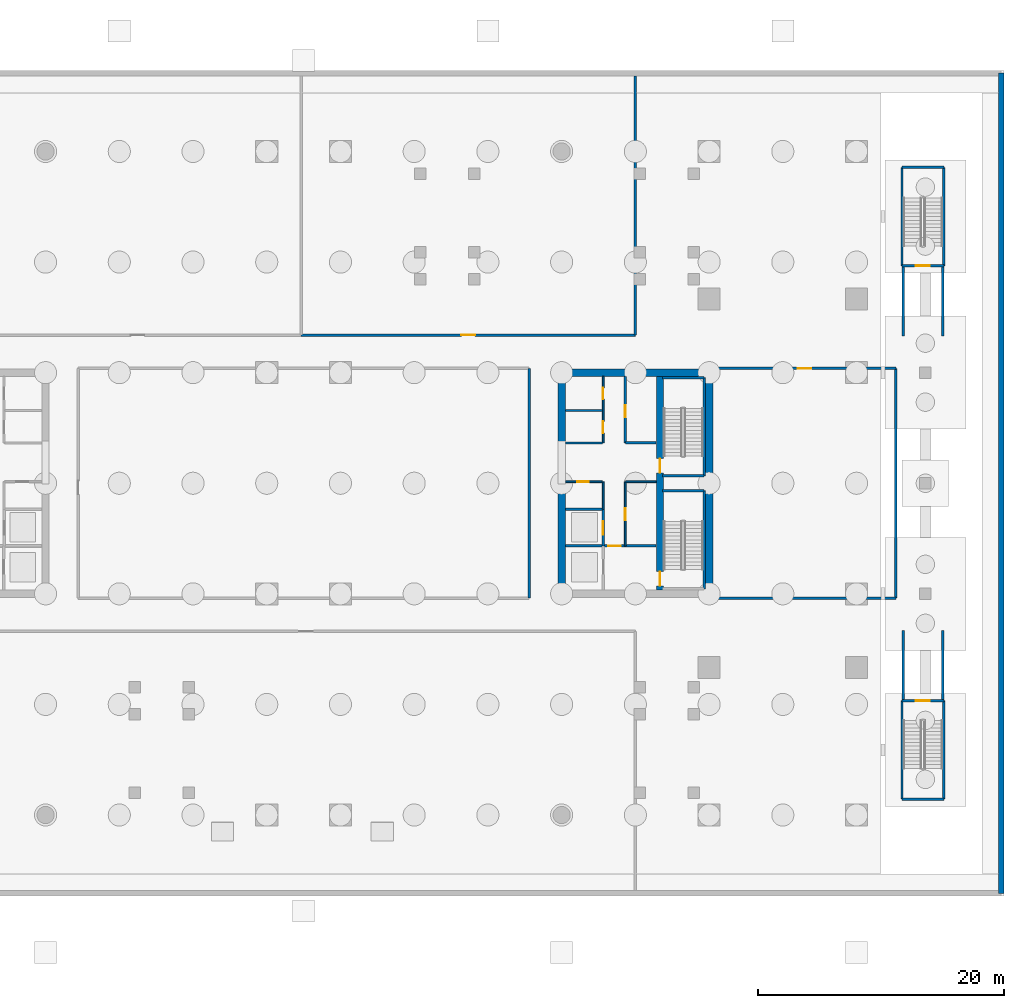
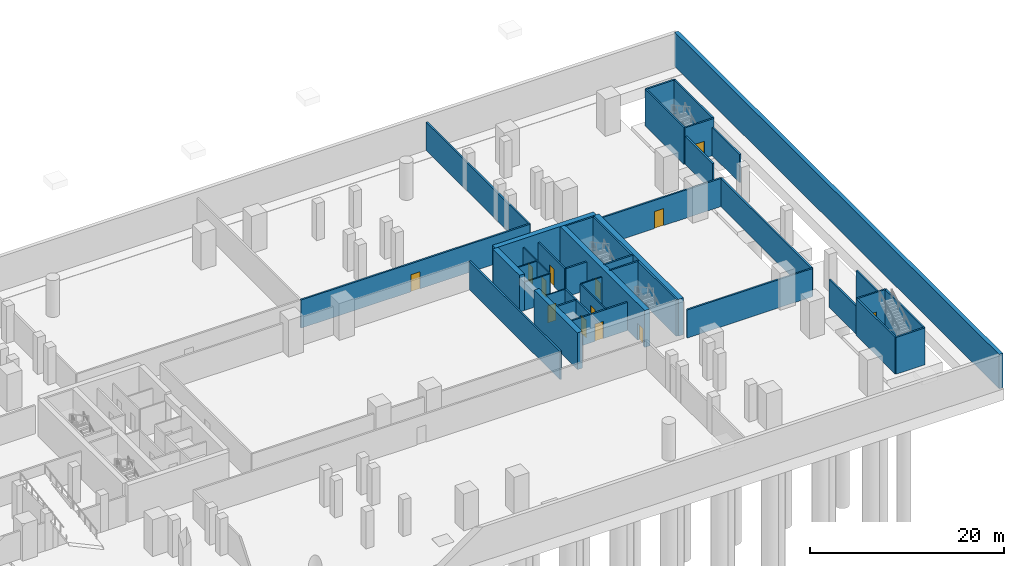
# One storey, part 8 of 14: 41 walls, 13 doors, 13 openings.
"""IFC4 building model written with IfcOpenShell, lengths in metres."""

from ifc_helpers import new_model, si_unit, direction, frame, frame_2d, origin, place, context, subcontext, project, spatial, rectangle, extrude, material, layer, layer_set, type_object, element, fill, save


model = new_model("IFC4")

# Units and contexts
model_context = context("Model", 3, precision=1e-05, world=origin(), true_north=direction((0.0, 1.0)))
body_context = subcontext(model_context, "Body", "Model", "MODEL_VIEW")
ifc_project = project(units=[si_unit("LENGTHUNIT", "METRE"), si_unit("AREAUNIT", "SQUARE_METRE"), si_unit("VOLUMEUNIT", "CUBIC_METRE"), si_unit("PLANEANGLEUNIT", "RADIAN"), si_unit("MASSUNIT", "GRAM", prefix="KILO")], contexts=[model_context])

# Site, building, storey
site_placement = place(None, origin())
site = spatial("IfcSite", under=ifc_project, at=site_placement, CompositionType="ELEMENT")
building_placement = place(site_placement, origin())
building = spatial("IfcBuilding", under=site, at=building_placement, Name="Tanjung Sevakor Pilgrim Tower", CompositionType="ELEMENT")
storey_placement = place(building_placement, frame((0.0, 0.0, -9.239990234375)))
storey = spatial("IfcBuildingStorey", under=building, at=storey_placement, Name="B02", CompositionType="ELEMENT", Elevation=-9.239990234375)

# Walls
ifc_material_1 = material(Name="Concrete C60/75", Category="concrete")
ifc_layer_1 = layer(ifc_material_1, 0.60009765625)
ifc_layer_set_1 = layer_set([ifc_layer_1], Name="WALL-CW-600B")
wall_type_1 = type_object("IfcWallType", Name="WALL-CW-600B", PredefinedType="SHEAR", material=ifc_layer_set_1)
wall_1_placement = place(storey_placement, frame((90.0, 42.60009765625, 0.0), z_axis=(0.0, 0.0, 1.0), x_axis=(-1.0, 0.0, 0.0)))
element("IfcWall", 1, at=wall_1_placement, inside=storey, type_object=wall_type_1, Name="B02 E Core North Shear Wall", PredefinedType="SHEAR", context=body_context, shape_type="SweptSolid", body=[
    extrude(rectangle(XDim=12.0, YDim=0.60009765625, at=frame_2d((6.0, 0.0))), origin(), (0.0, 0.0, 1.0), 4.619873046875),
])
wall_2_placement = place(storey_placement, frame((90.0, 24.89990234375, 0.0), z_axis=(0.0, 0.0, 1.0), x_axis=(0.0, 1.0, 0.0)))
element("IfcWall", 2, at=wall_2_placement, inside=storey, type_object=wall_type_1, Name="B02 E Core Outer Shear Wall", PredefinedType="SHEAR", context=body_context, shape_type="SweptSolid", body=[
    extrude(rectangle(XDim=17.400146484375, YDim=0.60009765625, at=frame_2d((8.7001953125, 0.0))), origin(), (0.0, 0.0, 1.0), 4.619873046875),
])
wall_3_placement = place(storey_placement, frame((78.0, 24.89990234375, 0.0), z_axis=(0.0, 0.0, 1.0), x_axis=(0.0, 1.0, 0.0)))
element("IfcWall", 3, at=wall_3_placement, inside=storey, type_object=wall_type_1, Name="B02 E Core Inner Shear Wall South", PredefinedType="SHEAR", context=body_context, shape_type="SweptSolid", body=[
    extrude(rectangle(XDim=8.900146484375, YDim=0.60009765625, at=frame_2d((4.4501953125, 0.0))), origin(), (0.0, 0.0, 1.0), 4.619873046875),
])
wall_4_placement = place(storey_placement, frame((78.0, 36.800048828125, 0.0), z_axis=(0.0, 0.0, 1.0), x_axis=(0.0, 1.0, 0.0)))
element("IfcWall", 4, at=wall_4_placement, inside=storey, type_object=wall_type_1, Name="B02 E Core Inner Shear Wall North", PredefinedType="SHEAR", context=body_context, shape_type="SweptSolid", body=[
    extrude(rectangle(XDim=5.5, YDim=0.60009765625, at=frame_2d((2.75, 0.0))), origin(), (0.0, 0.0, 1.0), 4.619873046875),
])

# Wall, openings, doors
wall_5_placement = place(storey_placement, frame((86.0, 24.89990234375, 0.0), z_axis=(0.0, 0.0, 1.0), x_axis=(0.0, 1.0, 0.0)))
wall_5 = element("IfcWall", 5, at=wall_5_placement, inside=storey, type_object=wall_type_1, Name="B02 E Core Stair Spine Wall", PredefinedType="SHEAR", context=body_context, shape_type="SweptSolid", body=[
    extrude(rectangle(XDim=17.400146484375, YDim=0.60009765625, at=frame_2d((8.7001953125, 0.0))), origin(), (0.0, 0.0, 1.0), 4.619873046875),
])
opening_1_placement = place(wall_5_placement, frame((0.35009765625, 0.0, 0.0)))
opening_1 = element("IfcOpeningElement", 6, at=opening_1_placement, cuts=wall_5, Name="Opening ID-ST1", PredefinedType="OPENING", context=body_context, shape_type="SweptSolid", body=[
    extrude(rectangle(XDim=1.14990234375, YDim=2.14990234375, at=frame_2d((0.574951171875, 1.074951171875))), frame((0.0, 0.31005859375, 0.0), z_axis=(0.0, -1.0, 0.0), x_axis=(1.0, 0.0, 0.0)), (0.0, 0.0, 1.0), 0.6201171875),
])
opening_2_placement = place(wall_5_placement, frame((9.550048828125, 0.0, 0.0)))
opening_2 = element("IfcOpeningElement", 7, at=opening_2_placement, cuts=wall_5, Name="Opening ID-ST1", PredefinedType="OPENING", context=body_context, shape_type="SweptSolid", body=[
    extrude(rectangle(XDim=1.14990234375, YDim=2.14990234375, at=frame_2d((0.574951171875, 1.074951171875))), frame((0.0, 0.31005859375, 0.0), z_axis=(0.0, -1.0, 0.0), x_axis=(1.0, 0.0, 0.0)), (0.0, 0.0, 1.0), 0.6201171875),
])
ifc_material_2 = material(Name="Fire-Rated Steel S355J2", Category="steel")
door_type_1 = type_object("IfcDoorType", Name="DT-FIRE-1150", OperationType="NOTDEFINED", PredefinedType="DOOR", material=ifc_material_2)
door_1_placement = place(opening_1_placement, origin())
door_1 = element("IfcDoor", 8, at=door_1_placement, inside=storey, type_object=door_type_1, Name="B02 TS-E1 Stair Fire Door", OperationType="SINGLE_SWING_LEFT", OverallHeight=2.14990234375, OverallWidth=1.14990234375, PredefinedType="DOOR", context=body_context, shape_type="SweptSolid", body=[
    extrude(rectangle(XDim=1.14990234375, YDim=2.14990234375, at=frame_2d((0.574951171875, 1.074951171875))), frame((0.0, 0.02490234375, 0.0), z_axis=(0.0, -1.0, 0.0), x_axis=(1.0, 0.0, 0.0)), (0.0, 0.0, 1.0), 0.050048828125),
])
fill(opening_1, door_1)
door_2_placement = place(opening_2_placement, origin())
door_2 = element("IfcDoor", 9, at=door_2_placement, inside=storey, type_object=door_type_1, Name="B02 TS-E2 Stair Fire Door", OperationType="SINGLE_SWING_RIGHT", OverallHeight=2.14990234375, OverallWidth=1.14990234375, PredefinedType="DOOR", context=body_context, shape_type="SweptSolid", body=[
    extrude(rectangle(XDim=1.14990234375, YDim=2.14990234375, at=frame_2d((0.574951171875, 1.074951171875))), frame((0.0, 0.02490234375, 0.0), z_axis=(0.0, -1.0, 0.0), x_axis=(1.0, 0.0, 0.0)), (0.0, 0.0, 1.0), 0.050048828125),
])
fill(opening_2, door_2)

# Wall
ifc_material_3 = material(Name="Concrete C40/50", Category="concrete")
ifc_layer_2 = layer(ifc_material_3, 0.14990234375)
ifc_layer_set_2 = layer_set([ifc_layer_2], Name="WT-COMP-150")
wall_type_2 = type_object("IfcWallType", Name="WT-COMP-150", PredefinedType="SOLIDWALL", material=ifc_layer_set_2)
wall_6_placement = place(storey_placement, frame((83.199951171875, 33.719970703125, 0.0), z_axis=(0.0, 0.0, 1.0), x_axis=(1.0, 0.0, 0.0)))
element("IfcWall", 10, at=wall_6_placement, inside=storey, type_object=wall_type_2, Name="B02 Partition IW-B02-016", PredefinedType="SOLIDWALL", context=body_context, shape_type="SweptSolid", body=[
    extrude(rectangle(XDim=2.47998046875, YDim=0.14990234375, at=frame_2d((1.239990234375, 0.0))), origin(), (0.0, 0.0, 1.0), 3.5400390625),
])

# Wall, opening, door
wall_7_placement = place(storey_placement, frame((83.179931640625, 28.5, 0.0), z_axis=(0.0, 0.0, 1.0), x_axis=(0.0, 1.0, 0.0)))
wall_7 = element("IfcWall", 11, at=wall_7_placement, inside=storey, type_object=wall_type_2, Name="B02 Partition IW-B02-017", PredefinedType="SOLIDWALL", context=body_context, shape_type="SweptSolid", body=[
    extrude(rectangle(XDim=5.219970703125, YDim=0.14990234375, at=frame_2d((2.60986328125, 0.0))), origin(), (0.0, 0.0, 1.0), 3.5400390625),
])
opening_3_placement = place(wall_7_placement, frame((2.10009765625, 0.0, 0.0)))
opening_3 = element("IfcOpeningElement", 12, at=opening_3_placement, cuts=wall_7, Name="Opening ID-FD2", PredefinedType="OPENING", context=body_context, shape_type="SweptSolid", body=[
    extrude(rectangle(XDim=0.949951171875, YDim=2.14990234375, at=frame_2d((0.47509765625, 1.074951171875))), frame((0.0, 0.0849609375, 0.0), z_axis=(0.0, -1.0, 0.0), x_axis=(1.0, 0.0, 0.0)), (0.0, 0.0, 1.0), 0.169921875),
])
ifc_material_4 = material(Name="Fire-Rated Timber", Category="wood")
door_type_2 = type_object("IfcDoorType", Name="DT-FIRE-950", OperationType="NOTDEFINED", PredefinedType="DOOR", material=ifc_material_4)
door_3_placement = place(opening_3_placement, origin())
door_3 = element("IfcDoor", 13, at=door_3_placement, inside=storey, type_object=door_type_2, Name="B02 Housekeeping Pantry Door", OperationType="SINGLE_SWING_RIGHT", OverallHeight=2.14990234375, OverallWidth=0.949951171875, PredefinedType="DOOR", context=body_context, shape_type="SweptSolid", body=[
    extrude(rectangle(XDim=0.949951171875, YDim=2.14990234375, at=frame_2d((0.47509765625, 1.074951171875))), frame((0.0, 0.02490234375, 0.0), z_axis=(0.0, -1.0, 0.0), x_axis=(1.0, 0.0, 0.0)), (0.0, 0.0, 1.0), 0.050048828125),
])
fill(opening_3, door_3)

# Wall
wall_8_placement = place(storey_placement, frame((81.3798828125, 31.47998046875, 0.0), z_axis=(0.0, 0.0, 1.0), x_axis=(0.0, 1.0, 0.0)))
element("IfcWall", 14, at=wall_8_placement, inside=storey, type_object=wall_type_2, Name="B02 Partition IW-B02-020", PredefinedType="SOLIDWALL", context=body_context, shape_type="SweptSolid", body=[
    extrude(rectangle(XDim=2.239990234375, YDim=0.14990234375, at=frame_2d((1.1201171875, 0.0))), origin(), (0.0, 0.0, 1.0), 3.5400390625),
])

# Wall, opening, door
wall_9_placement = place(storey_placement, frame((78.320068359375, 33.719970703125, 0.0), z_axis=(0.0, 0.0, 1.0), x_axis=(1.0, 0.0, 0.0)))
wall_9 = element("IfcWall", 15, at=wall_9_placement, inside=storey, type_object=wall_type_2, Name="B02 Partition IW-B02-021", PredefinedType="SOLIDWALL", context=body_context, shape_type="SweptSolid", body=[
    extrude(rectangle(XDim=3.0, YDim=0.14990234375, at=frame_2d((1.5, 0.0))), origin(), (0.0, 0.0, 1.0), 3.5400390625),
])
opening_4_placement = place(wall_9_placement, frame((0.949951171875, 0.0, 0.0)))
opening_4 = element("IfcOpeningElement", 16, at=opening_4_placement, cuts=wall_9, Name="Opening ID-FD2", PredefinedType="OPENING", context=body_context, shape_type="SweptSolid", body=[
    extrude(rectangle(XDim=0.949951171875, YDim=2.14990234375, at=frame_2d((0.47509765625, 1.074951171875))), frame((0.0, 0.0849609375, 0.0), z_axis=(0.0, -1.0, 0.0), x_axis=(1.0, 0.0, 0.0)), (0.0, 0.0, 1.0), 0.169921875),
])
door_4_placement = place(opening_4_placement, origin())
door_4 = element("IfcDoor", 17, at=door_4_placement, inside=storey, type_object=door_type_2, Name="B02 Accessible WC Door", OperationType="SINGLE_SWING_RIGHT", OverallHeight=2.14990234375, OverallWidth=0.949951171875, PredefinedType="DOOR", context=body_context, shape_type="SweptSolid", body=[
    extrude(rectangle(XDim=0.949951171875, YDim=2.14990234375, at=frame_2d((0.47509765625, 1.074951171875))), frame((0.0, 0.02490234375, 0.0), z_axis=(0.0, -1.0, 0.0), x_axis=(1.0, 0.0, 0.0)), (0.0, 0.0, 1.0), 0.050048828125),
])
fill(opening_4, door_4)

# Walls
for number, where, z_axis, x_axis, name in (
    (18, (78.320068359375, 36.8798828125, 0.0), (0.0, 0.0, 1.0), (1.0, 0.0, 0.0), "B02 Partition IW-B02-024"),
    (19, (78.320068359375, 39.52001953125, 0.0), (0.0, 0.0, 1.0), (1.0, 0.0, 0.0), "B02 Partition IW-B02-025"),
):
    element("IfcWall", number, at=place(storey_placement, frame(where, z_axis=z_axis, x_axis=x_axis)), inside=storey, type_object=wall_type_2, Name=name, PredefinedType="SOLIDWALL", context=body_context, shape_type="SweptSolid", body=[
        extrude(rectangle(XDim=3.0, YDim=0.14990234375, at=frame_2d((1.5, 0.0))), origin(), (0.0, 0.0, 1.0), 3.5400390625),
    ])

# Wall, openings, doors
wall_10_placement = place(storey_placement, frame((81.3798828125, 36.8798828125, 0.0), z_axis=(0.0, 0.0, 1.0), x_axis=(0.0, 1.0, 0.0)))
wall_10 = element("IfcWall", 20, at=wall_10_placement, inside=storey, type_object=wall_type_2, Name="B02 Partition IW-B02-026", PredefinedType="SOLIDWALL", context=body_context, shape_type="SweptSolid", body=[
    extrude(rectangle(XDim=5.420166015625, YDim=0.14990234375, at=frame_2d((2.7099609375, 0.0))), origin(), (0.0, 0.0, 1.0), 3.5400390625),
])
opening_5_placement = place(wall_10_placement, frame((0.800048828125, 0.0, 0.0)))
opening_5 = element("IfcOpeningElement", 21, at=opening_5_placement, cuts=wall_10, Name="Opening ID-FD2", PredefinedType="OPENING", context=body_context, shape_type="SweptSolid", body=[
    extrude(rectangle(XDim=0.949951171875, YDim=2.14990234375, at=frame_2d((0.47509765625, 1.074951171875))), frame((0.0, 0.0849609375, 0.0), z_axis=(0.0, -1.0, 0.0), x_axis=(1.0, 0.0, 0.0)), (0.0, 0.0, 1.0), 0.169921875),
])
opening_6_placement = place(wall_10_placement, frame((3.550048828125, 0.0, 0.0)))
opening_6 = element("IfcOpeningElement", 22, at=opening_6_placement, cuts=wall_10, Name="Opening ID-FD2", PredefinedType="OPENING", context=body_context, shape_type="SweptSolid", body=[
    extrude(rectangle(XDim=0.949951171875, YDim=2.14990234375, at=frame_2d((0.47509765625, 1.074951171875))), frame((0.0, 0.0849609375, 0.0), z_axis=(0.0, -1.0, 0.0), x_axis=(1.0, 0.0, 0.0)), (0.0, 0.0, 1.0), 0.169921875),
])
door_5_placement = place(opening_5_placement, origin())
door_5 = element("IfcDoor", 23, at=door_5_placement, inside=storey, type_object=door_type_2, Name="B02 Public Male WC Door", OperationType="SINGLE_SWING_RIGHT", OverallHeight=2.14990234375, OverallWidth=0.949951171875, PredefinedType="DOOR", context=body_context, shape_type="SweptSolid", body=[
    extrude(rectangle(XDim=0.949951171875, YDim=2.14990234375, at=frame_2d((0.47509765625, 1.074951171875))), frame((0.0, 0.02490234375, 0.0), z_axis=(0.0, -1.0, 0.0), x_axis=(1.0, 0.0, 0.0)), (0.0, 0.0, 1.0), 0.050048828125),
])
fill(opening_5, door_5)
door_6_placement = place(opening_6_placement, origin())
door_6 = element("IfcDoor", 24, at=door_6_placement, inside=storey, type_object=door_type_2, Name="B02 Public Female WC Door", OperationType="SINGLE_SWING_LEFT", OverallHeight=2.14990234375, OverallWidth=0.949951171875, PredefinedType="DOOR", context=body_context, shape_type="SweptSolid", body=[
    extrude(rectangle(XDim=0.949951171875, YDim=2.14990234375, at=frame_2d((0.47509765625, 1.074951171875))), frame((0.0, 0.02490234375, 0.0), z_axis=(0.0, -1.0, 0.0), x_axis=(1.0, 0.0, 0.0)), (0.0, 0.0, 1.0), 0.050048828125),
])
fill(opening_6, door_6)

# Walls
ifc_material_5 = material(Name="Concrete C40/50", Category="concrete")
ifc_layer_3 = layer(ifc_material_5, 0.199951171875)
ifc_layer_set_3 = layer_set([ifc_layer_3], Name="WT-FIRE-200")
wall_type_3 = type_object("IfcWallType", Name="WT-FIRE-200", PredefinedType="SOLIDWALL", material=ifc_layer_set_3)
wall_11_placement = place(storey_placement, frame((89.60009765625, 25.0, 0.0), z_axis=(0.0, 0.0, 1.0), x_axis=(0.0, 1.0, 0.0)))
element("IfcWall", 25, at=wall_11_placement, inside=storey, type_object=wall_type_3, Name="B02 TS-E1 Shaft Wall 2", PredefinedType="SOLIDWALL", context=body_context, shape_type="SweptSolid", body=[
    extrude(rectangle(XDim=8.0, YDim=0.199951171875, at=frame_2d((4.0, 0.0))), origin(), (0.0, 0.0, 1.0), 4.619873046875),
])
for number, where, z_axis, x_axis, name in (
    (26, (89.60009765625, 33.0, 0.0), (0.0, 0.0, 1.0), (-1.0, 0.0, 0.0), "B02 TS-E1 Shaft Wall 3"),
    (27, (86.199951171875, 34.199951171875, 0.0), (0.0, 0.0, 1.0), (1.0, 0.0, 0.0), "B02 TS-E2 Shaft Wall 1"),
):
    element("IfcWall", number, at=place(storey_placement, frame(where, z_axis=z_axis, x_axis=x_axis)), inside=storey, type_object=wall_type_3, Name=name, PredefinedType="SOLIDWALL", context=body_context, shape_type="SweptSolid", body=[
        extrude(rectangle(XDim=3.400146484375, YDim=0.199951171875, at=frame_2d((1.7001953125, 0.0))), origin(), (0.0, 0.0, 1.0), 4.619873046875),
    ])
wall_12_placement = place(storey_placement, frame((89.60009765625, 34.199951171875, 0.0), z_axis=(0.0, 0.0, 1.0), x_axis=(0.0, 1.0, 0.0)))
element("IfcWall", 28, at=wall_12_placement, inside=storey, type_object=wall_type_3, Name="B02 TS-E2 Shaft Wall 2", PredefinedType="SOLIDWALL", context=body_context, shape_type="SweptSolid", body=[
    extrude(rectangle(XDim=8.0, YDim=0.199951171875, at=frame_2d((4.0, 0.0))), origin(), (0.0, 0.0, 1.0), 4.619873046875),
])
for number, where, z_axis, x_axis, name in (
    (29, (89.60009765625, 42.199951171875, 0.0), (0.0, 0.0, 1.0), (-1.0, 0.0, 0.0), "B02 TS-E2 Shaft Wall 3"),
    (30, (105.699951171875, 7.89990234375, 0.0), (0.0, 0.0, 1.0), (1.0, 0.0, 0.0), "B02 BS-3 Shaft Wall 1"),
):
    element("IfcWall", number, at=place(storey_placement, frame(where, z_axis=z_axis, x_axis=x_axis)), inside=storey, type_object=wall_type_3, Name=name, PredefinedType="SOLIDWALL", context=body_context, shape_type="SweptSolid", body=[
        extrude(rectangle(XDim=3.400146484375, YDim=0.199951171875, at=frame_2d((1.7001953125, 0.0))), origin(), (0.0, 0.0, 1.0), 4.619873046875),
    ])
wall_13_placement = place(storey_placement, frame((109.10009765625, 7.89990234375, 0.0), z_axis=(0.0, 0.0, 1.0), x_axis=(0.0, 1.0, 0.0)))
element("IfcWall", 31, at=wall_13_placement, inside=storey, type_object=wall_type_3, Name="B02 BS-3 Shaft Wall 2", PredefinedType="SOLIDWALL", context=body_context, shape_type="SweptSolid", body=[
    extrude(rectangle(XDim=8.0, YDim=0.199951171875, at=frame_2d((4.0, 0.0))), origin(), (0.0, 0.0, 1.0), 4.619873046875),
])

# Wall, opening, door
wall_14_placement = place(storey_placement, frame((109.10009765625, 15.89990234375, 0.0), z_axis=(0.0, 0.0, 1.0), x_axis=(-1.0, 0.0, 0.0)))
wall_14 = element("IfcWall", 32, at=wall_14_placement, inside=storey, type_object=wall_type_3, Name="B02 BS-3 Shaft Wall 3", PredefinedType="SOLIDWALL", context=body_context, shape_type="SweptSolid", body=[
    extrude(rectangle(XDim=3.400146484375, YDim=0.199951171875, at=frame_2d((1.7001953125, 0.0))), origin(), (0.0, 0.0, 1.0), 4.619873046875),
])
opening_7_placement = place(wall_14_placement, frame((1.125, 0.0, 0.0)))
opening_7 = element("IfcOpeningElement", 33, at=opening_7_placement, cuts=wall_14, Name="Opening ID-ST1", PredefinedType="OPENING", context=body_context, shape_type="SweptSolid", body=[
    extrude(rectangle(XDim=1.14990234375, YDim=2.14990234375, at=frame_2d((0.574951171875, 1.074951171875))), frame((0.0, 0.10986328125, 0.0), z_axis=(0.0, -1.0, 0.0), x_axis=(1.0, 0.0, 0.0)), (0.0, 0.0, 1.0), 0.219970703125),
])
door_7_placement = place(opening_7_placement, origin())
door_7 = element("IfcDoor", 34, at=door_7_placement, inside=storey, type_object=door_type_1, Name="B02 BS-3 Stair Entry Fire Door", OperationType="SINGLE_SWING_LEFT", OverallHeight=2.14990234375, OverallWidth=1.14990234375, PredefinedType="DOOR", context=body_context, shape_type="SweptSolid", body=[
    extrude(rectangle(XDim=1.14990234375, YDim=2.14990234375, at=frame_2d((0.574951171875, 1.074951171875))), frame((0.0, 0.02490234375, 0.0), z_axis=(0.0, -1.0, 0.0), x_axis=(1.0, 0.0, 0.0)), (0.0, 0.0, 1.0), 0.050048828125),
])
fill(opening_7, door_7)

# Wall
wall_15_placement = place(storey_placement, frame((105.699951171875, 15.89990234375, 0.0), z_axis=(0.0, 0.0, 1.0), x_axis=(0.0, -1.0, 0.0)))
element("IfcWall", 35, at=wall_15_placement, inside=storey, type_object=wall_type_3, Name="B02 BS-3 Shaft Wall 4", PredefinedType="SOLIDWALL", context=body_context, shape_type="SweptSolid", body=[
    extrude(rectangle(XDim=8.0, YDim=0.199951171875, at=frame_2d((4.0, 0.0))), origin(), (0.0, 0.0, 1.0), 4.619873046875),
])

# Wall, opening, door
wall_16_placement = place(storey_placement, frame((105.699951171875, 51.300048828125, 0.0), z_axis=(0.0, 0.0, 1.0), x_axis=(1.0, 0.0, 0.0)))
wall_16 = element("IfcWall", 36, at=wall_16_placement, inside=storey, type_object=wall_type_3, Name="B02 BS-4 Shaft Wall 1", PredefinedType="SOLIDWALL", context=body_context, shape_type="SweptSolid", body=[
    extrude(rectangle(XDim=3.400146484375, YDim=0.199951171875, at=frame_2d((1.7001953125, 0.0))), origin(), (0.0, 0.0, 1.0), 4.619873046875),
])
opening_8_placement = place(wall_16_placement, frame((1.125, 0.0, 0.0)))
opening_8 = element("IfcOpeningElement", 37, at=opening_8_placement, cuts=wall_16, Name="Opening ID-ST1", PredefinedType="OPENING", context=body_context, shape_type="SweptSolid", body=[
    extrude(rectangle(XDim=1.14990234375, YDim=2.14990234375, at=frame_2d((0.574951171875, 1.074951171875))), frame((0.0, 0.10986328125, 0.0), z_axis=(0.0, -1.0, 0.0), x_axis=(1.0, 0.0, 0.0)), (0.0, 0.0, 1.0), 0.219970703125),
])
door_8_placement = place(opening_8_placement, origin())
door_8 = element("IfcDoor", 38, at=door_8_placement, inside=storey, type_object=door_type_1, Name="B02 BS-4 Stair Entry Fire Door", OperationType="SINGLE_SWING_RIGHT", OverallHeight=2.14990234375, OverallWidth=1.14990234375, PredefinedType="DOOR", context=body_context, shape_type="SweptSolid", body=[
    extrude(rectangle(XDim=1.14990234375, YDim=2.14990234375, at=frame_2d((0.574951171875, 1.074951171875))), frame((0.0, 0.02490234375, 0.0), z_axis=(0.0, -1.0, 0.0), x_axis=(1.0, 0.0, 0.0)), (0.0, 0.0, 1.0), 0.050048828125),
])
fill(opening_8, door_8)

# Walls
wall_17_placement = place(storey_placement, frame((109.10009765625, 51.300048828125, 0.0), z_axis=(0.0, 0.0, 1.0), x_axis=(0.0, 1.0, 0.0)))
element("IfcWall", 39, at=wall_17_placement, inside=storey, type_object=wall_type_3, Name="B02 BS-4 Shaft Wall 2", PredefinedType="SOLIDWALL", context=body_context, shape_type="SweptSolid", body=[
    extrude(rectangle(XDim=8.0, YDim=0.199951171875, at=frame_2d((4.0, 0.0))), origin(), (0.0, 0.0, 1.0), 4.619873046875),
])
wall_18_placement = place(storey_placement, frame((109.10009765625, 59.300048828125, 0.0), z_axis=(0.0, 0.0, 1.0), x_axis=(-1.0, 0.0, 0.0)))
element("IfcWall", 40, at=wall_18_placement, inside=storey, type_object=wall_type_3, Name="B02 BS-4 Shaft Wall 3", PredefinedType="SOLIDWALL", context=body_context, shape_type="SweptSolid", body=[
    extrude(rectangle(XDim=3.400146484375, YDim=0.199951171875, at=frame_2d((1.7001953125, 0.0))), origin(), (0.0, 0.0, 1.0), 4.619873046875),
])
wall_19_placement = place(storey_placement, frame((105.699951171875, 59.300048828125, 0.0), z_axis=(0.0, 0.0, 1.0), x_axis=(0.0, -1.0, 0.0)))
element("IfcWall", 41, at=wall_19_placement, inside=storey, type_object=wall_type_3, Name="B02 BS-4 Shaft Wall 4", PredefinedType="SOLIDWALL", context=body_context, shape_type="SweptSolid", body=[
    extrude(rectangle(XDim=8.0, YDim=0.199951171875, at=frame_2d((4.0, 0.0))), origin(), (0.0, 0.0, 1.0), 4.619873046875),
])

# Wall, opening, door
ifc_material_6 = material(Name="Concrete C40/50", Category="concrete")
ifc_layer_4 = layer(ifc_material_6, 0.199951171875)
ifc_layer_set_4 = layer_set([ifc_layer_4], Name="WT-FPRT-200")
wall_type_4 = type_object("IfcWallType", Name="WT-FPRT-200", PredefinedType="SOLIDWALL", material=ifc_layer_set_4)
wall_20_placement = place(storey_placement, frame((78.320068359375, 28.5, 0.0), z_axis=(0.0, 0.0, 1.0), x_axis=(1.0, 0.0, 0.0)))
wall_20 = element("IfcWall", 42, at=wall_20_placement, inside=storey, type_object=wall_type_4, Name="B02 Partition IW-B02-015", PredefinedType="SOLIDWALL", context=body_context, shape_type="SweptSolid", body=[
    extrude(rectangle(XDim=7.35986328125, YDim=0.199951171875, at=frame_2d((3.679931640625, 0.0))), origin(), (0.0, 0.0, 1.0), 3.5400390625),
])
opening_9_placement = place(wall_20_placement, frame((3.47998046875, 0.0, 0.0)))
opening_9 = element("IfcOpeningElement", 43, at=opening_9_placement, cuts=wall_20, Name="Opening ID-FD1", PredefinedType="OPENING", context=body_context, shape_type="SweptSolid", body=[
    extrude(rectangle(XDim=1.0, YDim=2.14990234375, at=frame_2d((0.5, 1.074951171875))), frame((0.0, 0.10986328125, 0.0), z_axis=(0.0, -1.0, 0.0), x_axis=(1.0, 0.0, 0.0)), (0.0, 0.0, 1.0), 0.219970703125),
])
ifc_material_7 = material(Name="Fire-Rated Steel S355J2", Category="steel")
door_type_3 = type_object("IfcDoorType", Name="DT-FIRE-1000", OperationType="NOTDEFINED", PredefinedType="DOOR", material=ifc_material_7)
door_9_placement = place(opening_9_placement, origin())
door_9 = element("IfcDoor", 44, at=door_9_placement, inside=storey, type_object=door_type_3, Name="Fire Lobby Door E", OperationType="SINGLE_SWING_LEFT", OverallHeight=2.14990234375, OverallWidth=1.0, PredefinedType="DOOR", context=body_context, shape_type="SweptSolid", body=[
    extrude(rectangle(XDim=1.0, YDim=2.14990234375, at=frame_2d((0.5, 1.074951171875))), frame((0.0, 0.02490234375, 0.0), z_axis=(0.0, -1.0, 0.0), x_axis=(1.0, 0.0, 0.0)), (0.0, 0.0, 1.0), 0.050048828125),
])
fill(opening_9, door_9)

# Wall
wall_21_placement = place(storey_placement, frame((78.320068359375, 31.47998046875, 0.0), z_axis=(0.0, 0.0, 1.0), x_axis=(1.0, 0.0, 0.0)))
element("IfcWall", 45, at=wall_21_placement, inside=storey, type_object=wall_type_4, Name="B02 Partition IW-B02-018", PredefinedType="SOLIDWALL", context=body_context, shape_type="SweptSolid", body=[
    extrude(rectangle(XDim=3.0, YDim=0.199951171875, at=frame_2d((1.5, 0.0))), origin(), (0.0, 0.0, 1.0), 3.5400390625),
])

# Wall, opening, door
wall_22_placement = place(storey_placement, frame((81.3798828125, 28.5, 0.0), z_axis=(0.0, 0.0, 1.0), x_axis=(0.0, 1.0, 0.0)))
wall_22 = element("IfcWall", 46, at=wall_22_placement, inside=storey, type_object=wall_type_4, Name="B02 Partition IW-B02-019", PredefinedType="SOLIDWALL", context=body_context, shape_type="SweptSolid", body=[
    extrude(rectangle(XDim=2.97998046875, YDim=0.199951171875, at=frame_2d((1.489990234375, 0.0))), origin(), (0.0, 0.0, 1.0), 3.5400390625),
])
opening_10_placement = place(wall_22_placement, frame((0.89990234375, 0.0, 0.0)))
opening_10 = element("IfcOpeningElement", 47, at=opening_10_placement, cuts=wall_22, Name="Opening LD-1100", PredefinedType="OPENING", context=body_context, shape_type="SweptSolid", body=[
    extrude(rectangle(XDim=1.10009765625, YDim=2.199951171875, at=frame_2d((0.550048828125, 1.10009765625))), frame((0.0, 0.10986328125, 0.0), z_axis=(0.0, -1.0, 0.0), x_axis=(1.0, 0.0, 0.0)), (0.0, 0.0, 1.0), 0.219970703125),
])
ifc_material_8 = material(Name="Brushed Stainless Steel S355J2", Category="steel")
door_type_4 = type_object("IfcDoorType", Name="DT-LIFT-1100", OperationType="SLIDING_TO_LEFT", PredefinedType="DOOR", material=ifc_material_8)
door_10_placement = place(opening_10_placement, origin())
door_10 = element("IfcDoor", 48, at=door_10_placement, inside=storey, type_object=door_type_4, Name="LD-SLP-E", OperationType="SLIDING_TO_LEFT", OverallHeight=2.199951171875, OverallWidth=1.10009765625, PredefinedType="DOOR", context=body_context, shape_type="SweptSolid", body=[
    extrude(rectangle(XDim=1.10009765625, YDim=2.199951171875, at=frame_2d((0.550048828125, 1.10009765625))), frame((0.0, 0.02490234375, 0.0), z_axis=(0.0, -1.0, 0.0), x_axis=(1.0, 0.0, 0.0)), (0.0, 0.0, 1.0), 0.050048828125),
])
fill(opening_10, door_10)

# Wall
wall_23_placement = place(storey_placement, frame((83.199951171875, 36.8798828125, 0.0), z_axis=(0.0, 0.0, 1.0), x_axis=(1.0, 0.0, 0.0)))
element("IfcWall", 49, at=wall_23_placement, inside=storey, type_object=wall_type_4, Name="B02 Partition IW-B02-022", PredefinedType="SOLIDWALL", context=body_context, shape_type="SweptSolid", body=[
    extrude(rectangle(XDim=2.47998046875, YDim=0.199951171875, at=frame_2d((1.239990234375, 0.0))), origin(), (0.0, 0.0, 1.0), 3.5400390625),
])

# Wall, opening, door
wall_24_placement = place(storey_placement, frame((83.179931640625, 36.8798828125, 0.0), z_axis=(0.0, 0.0, 1.0), x_axis=(0.0, 1.0, 0.0)))
wall_24 = element("IfcWall", 50, at=wall_24_placement, inside=storey, type_object=wall_type_4, Name="B02 Partition IW-B02-023", PredefinedType="SOLIDWALL", context=body_context, shape_type="SweptSolid", body=[
    extrude(rectangle(XDim=5.420166015625, YDim=0.199951171875, at=frame_2d((2.7099609375, 0.0))), origin(), (0.0, 0.0, 1.0), 3.5400390625),
])
opening_11_placement = place(wall_24_placement, frame((2.10009765625, 0.0, 0.0)))
opening_11 = element("IfcOpeningElement", 51, at=opening_11_placement, cuts=wall_24, Name="Opening ID-FD2", PredefinedType="OPENING", context=body_context, shape_type="SweptSolid", body=[
    extrude(rectangle(XDim=0.949951171875, YDim=2.14990234375, at=frame_2d((0.47509765625, 1.074951171875))), frame((0.0, 0.10986328125, 0.0), z_axis=(0.0, -1.0, 0.0), x_axis=(1.0, 0.0, 0.0)), (0.0, 0.0, 1.0), 0.219970703125),
])
door_11_placement = place(opening_11_placement, origin())
door_11 = element("IfcDoor", 52, at=door_11_placement, inside=storey, type_object=door_type_2, Name="B02 Electrical Riser Door", OperationType="SINGLE_SWING_LEFT", OverallHeight=2.14990234375, OverallWidth=0.949951171875, PredefinedType="DOOR", context=body_context, shape_type="SweptSolid", body=[
    extrude(rectangle(XDim=0.949951171875, YDim=2.14990234375, at=frame_2d((0.47509765625, 1.074951171875))), frame((0.0, 0.02490234375, 0.0), z_axis=(0.0, -1.0, 0.0), x_axis=(1.0, 0.0, 0.0)), (0.0, 0.0, 1.0), 0.050048828125),
])
fill(opening_11, door_11)

# Walls
for number, where, z_axis, x_axis, name in (
    (53, (105.800048828125, 15.89990234375, 0.0), (0.0, 0.0, 1.0), (0.0, 1.0, 0.0), "B02 Partition IW-B02-029"),
    (54, (109.0, 15.89990234375, 0.0), (0.0, 0.0, 1.0), (0.0, 1.0, 0.0), "B02 Partition IW-B02-030"),
):
    element("IfcWall", number, at=place(storey_placement, frame(where, z_axis=z_axis, x_axis=x_axis)), inside=storey, type_object=wall_type_4, Name=name, PredefinedType="SOLIDWALL", context=body_context, shape_type="SweptSolid", body=[
        extrude(rectangle(XDim=5.7001953125, YDim=0.199951171875, at=frame_2d((2.85009765625, 0.0))), origin(), (0.0, 0.0, 1.0), 3.5400390625),
    ])
for number, where, z_axis, x_axis, name in (
    (55, (105.800048828125, 45.60009765625, 0.0), (0.0, 0.0, 1.0), (0.0, 1.0, 0.0), "B02 Partition IW-B02-031"),
    (56, (109.0, 45.60009765625, 0.0), (0.0, 0.0, 1.0), (0.0, 1.0, 0.0), "B02 Partition IW-B02-032"),
):
    element("IfcWall", number, at=place(storey_placement, frame(where, z_axis=z_axis, x_axis=x_axis)), inside=storey, type_object=wall_type_4, Name=name, PredefinedType="SOLIDWALL", context=body_context, shape_type="SweptSolid", body=[
        extrude(rectangle(XDim=5.699951171875, YDim=0.199951171875, at=frame_2d((2.85009765625, 0.0))), origin(), (0.0, 0.0, 1.0), 3.5400390625),
    ])
wall_25_placement = place(storey_placement, frame((75.35009765625, 24.25, 0.0), z_axis=(0.0, 0.0, 1.0), x_axis=(0.0, 1.0, 0.0)))
element("IfcWall", 57, at=wall_25_placement, inside=storey, type_object=wall_type_4, Name="B02 Partition IW-B02-041", PredefinedType="SOLIDWALL", context=body_context, shape_type="SweptSolid", body=[
    extrude(rectangle(XDim=18.699951171875, YDim=0.199951171875, at=frame_2d((9.35009765625, 0.0))), origin(), (0.0, 0.0, 1.0), 3.5400390625),
])
wall_26_placement = place(storey_placement, frame((90.320068359375, 24.25, 0.0), z_axis=(0.0, 0.0, 1.0), x_axis=(1.0, 0.0, 0.0)))
element("IfcWall", 58, at=wall_26_placement, inside=storey, type_object=wall_type_4, Name="B02 Partition IW-B02-047", PredefinedType="SOLIDWALL", context=body_context, shape_type="SweptSolid", body=[
    extrude(rectangle(XDim=14.8798828125, YDim=0.199951171875, at=frame_2d((7.43994140625, 0.0))), origin(), (0.0, 0.0, 1.0), 3.5400390625),
])

# Wall, opening, door
wall_27_placement = place(storey_placement, frame((90.320068359375, 42.949951171875, 0.0), z_axis=(0.0, 0.0, 1.0), x_axis=(1.0, 0.0, 0.0)))
wall_27 = element("IfcWall", 59, at=wall_27_placement, inside=storey, type_object=wall_type_4, Name="B02 Partition IW-B02-048", PredefinedType="SOLIDWALL", context=body_context, shape_type="SweptSolid", body=[
    extrude(rectangle(XDim=14.8798828125, YDim=0.199951171875, at=frame_2d((7.43994140625, 0.0))), origin(), (0.0, 0.0, 1.0), 3.5400390625),
])
opening_12_placement = place(wall_27_placement, frame((6.889892578125, 0.0, 0.0)))
opening_12 = element("IfcOpeningElement", 60, at=opening_12_placement, cuts=wall_27, Name="Opening ID-FD0", PredefinedType="OPENING", context=body_context, shape_type="SweptSolid", body=[
    extrude(rectangle(XDim=1.10009765625, YDim=2.14990234375, at=frame_2d((0.550048828125, 1.074951171875))), frame((0.0, 0.10986328125, 0.0), z_axis=(0.0, -1.0, 0.0), x_axis=(1.0, 0.0, 0.0)), (0.0, 0.0, 1.0), 0.219970703125),
])
ifc_material_9 = material(Name="Fire-Rated Steel S355J2", Category="steel")
door_type_5 = type_object("IfcDoorType", Name="DT-FIRE-1100", OperationType="NOTDEFINED", PredefinedType="DOOR", material=ifc_material_9)
door_12_placement = place(opening_12_placement, origin())
door_12 = element("IfcDoor", 61, at=door_12_placement, inside=storey, type_object=door_type_5, Name="B02 Pump Room Door", OperationType="SINGLE_SWING_RIGHT", OverallHeight=2.14990234375, OverallWidth=1.10009765625, PredefinedType="DOOR", context=body_context, shape_type="SweptSolid", body=[
    extrude(rectangle(XDim=1.10009765625, YDim=2.14990234375, at=frame_2d((0.550048828125, 1.074951171875))), frame((0.0, 0.02490234375, 0.0), z_axis=(0.0, -1.0, 0.0), x_axis=(1.0, 0.0, 0.0)), (0.0, 0.0, 1.0), 0.050048828125),
])
fill(opening_12, door_12)

# Wall
wall_28_placement = place(storey_placement, frame((105.199951171875, 24.25, 0.0), z_axis=(0.0, 0.0, 1.0), x_axis=(0.0, 1.0, 0.0)))
element("IfcWall", 62, at=wall_28_placement, inside=storey, type_object=wall_type_4, Name="B02 Partition IW-B02-049", PredefinedType="SOLIDWALL", context=body_context, shape_type="SweptSolid", body=[
    extrude(rectangle(XDim=18.699951171875, YDim=0.199951171875, at=frame_2d((9.35009765625, 0.0))), origin(), (0.0, 0.0, 1.0), 3.5400390625),
])

# Wall, opening, door
wall_29_placement = place(storey_placement, frame((56.800048828125, 45.64990234375, 0.0), z_axis=(0.0, 0.0, 1.0), x_axis=(1.0, 0.0, 0.0)))
wall_29 = element("IfcWall", 63, at=wall_29_placement, inside=storey, type_object=wall_type_4, Name="B02 Partition IW-B02-053", PredefinedType="SOLIDWALL", context=body_context, shape_type="SweptSolid", body=[
    extrude(rectangle(XDim=27.199951171875, YDim=0.199951171875, at=frame_2d((13.60009765625, 0.0))), origin(), (0.0, 0.0, 1.0), 3.5400390625),
])
opening_13_placement = place(wall_29_placement, frame((13.050048828125, 0.0, 0.0)))
opening_13 = element("IfcOpeningElement", 64, at=opening_13_placement, cuts=wall_29, Name="Opening ID-FD0", PredefinedType="OPENING", context=body_context, shape_type="SweptSolid", body=[
    extrude(rectangle(XDim=1.10009765625, YDim=2.14990234375, at=frame_2d((0.550048828125, 1.074951171875))), frame((0.0, 0.10986328125, 0.0), z_axis=(0.0, -1.0, 0.0), x_axis=(1.0, 0.0, 0.0)), (0.0, 0.0, 1.0), 0.219970703125),
])
door_13_placement = place(opening_13_placement, origin())
door_13 = element("IfcDoor", 65, at=door_13_placement, inside=storey, type_object=door_type_5, Name="B02 Luggage Store Door", OperationType="SINGLE_SWING_RIGHT", OverallHeight=2.14990234375, OverallWidth=1.10009765625, PredefinedType="DOOR", context=body_context, shape_type="SweptSolid", body=[
    extrude(rectangle(XDim=1.10009765625, YDim=2.14990234375, at=frame_2d((0.550048828125, 1.074951171875))), frame((0.0, 0.02490234375, 0.0), z_axis=(0.0, -1.0, 0.0), x_axis=(1.0, 0.0, 0.0)), (0.0, 0.0, 1.0), 0.050048828125),
])
fill(opening_13, door_13)

# Walls
wall_30_placement = place(storey_placement, frame((84.0, 45.64990234375, 0.0), z_axis=(0.0, 0.0, 1.0), x_axis=(0.0, 1.0, 0.0)))
element("IfcWall", 66, at=wall_30_placement, inside=storey, type_object=wall_type_4, Name="B02 Partition IW-B02-054", PredefinedType="SOLIDWALL", context=body_context, shape_type="SweptSolid", body=[
    extrude(rectangle(XDim=21.10009765625, YDim=0.199951171875, at=frame_2d((10.550048828125, 0.0))), origin(), (0.0, 0.0, 1.0), 3.5400390625),
])
ifc_material_10 = material(Name="Concrete C50/60", Category="concrete")
ifc_layer_5 = layer(ifc_material_10, 0.449951171875)
ifc_layer_set_5 = layer_set([ifc_layer_5], Name="WT-RET-450")
wall_type_5 = type_object("IfcWallType", Name="WT-RET-450", PredefinedType="USERDEFINED", material=ifc_layer_set_5)
wall_31_placement = place(storey_placement, frame((113.77490234375, 0.22509765625, 0.0), z_axis=(0.0, 0.0, 1.0), x_axis=(0.0, 1.0, 0.0)))
element("IfcWall", 67, at=wall_31_placement, inside=storey, type_object=wall_type_5, Name="B02 Perimeter Retaining Wall 2", ObjectType="RETAININGWALL", PredefinedType="USERDEFINED", context=body_context, shape_type="SweptSolid", body=[
    extrude(rectangle(XDim=66.75, YDim=0.449951171875, at=frame_2d((33.375, 0.0))), origin(), (0.0, 0.0, 1.0), 4.320068359375),
])

save(model, "model.ifc")
